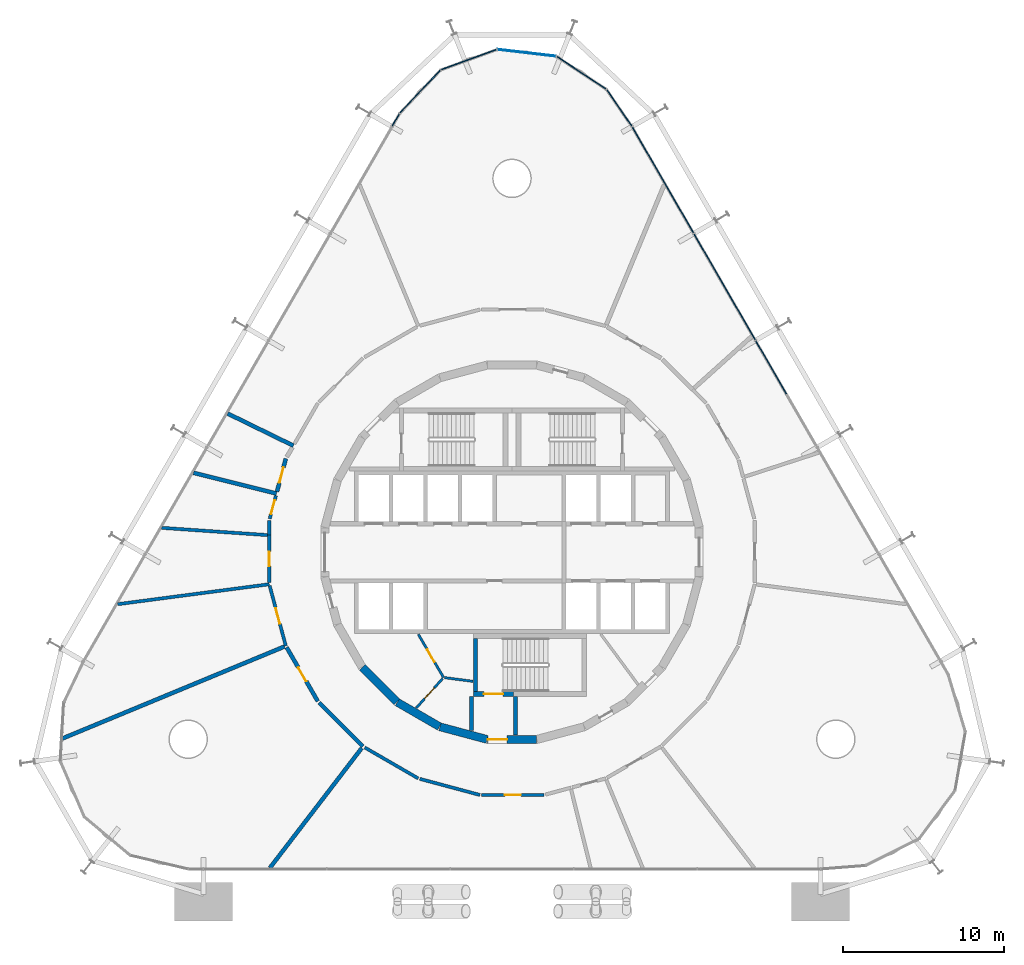
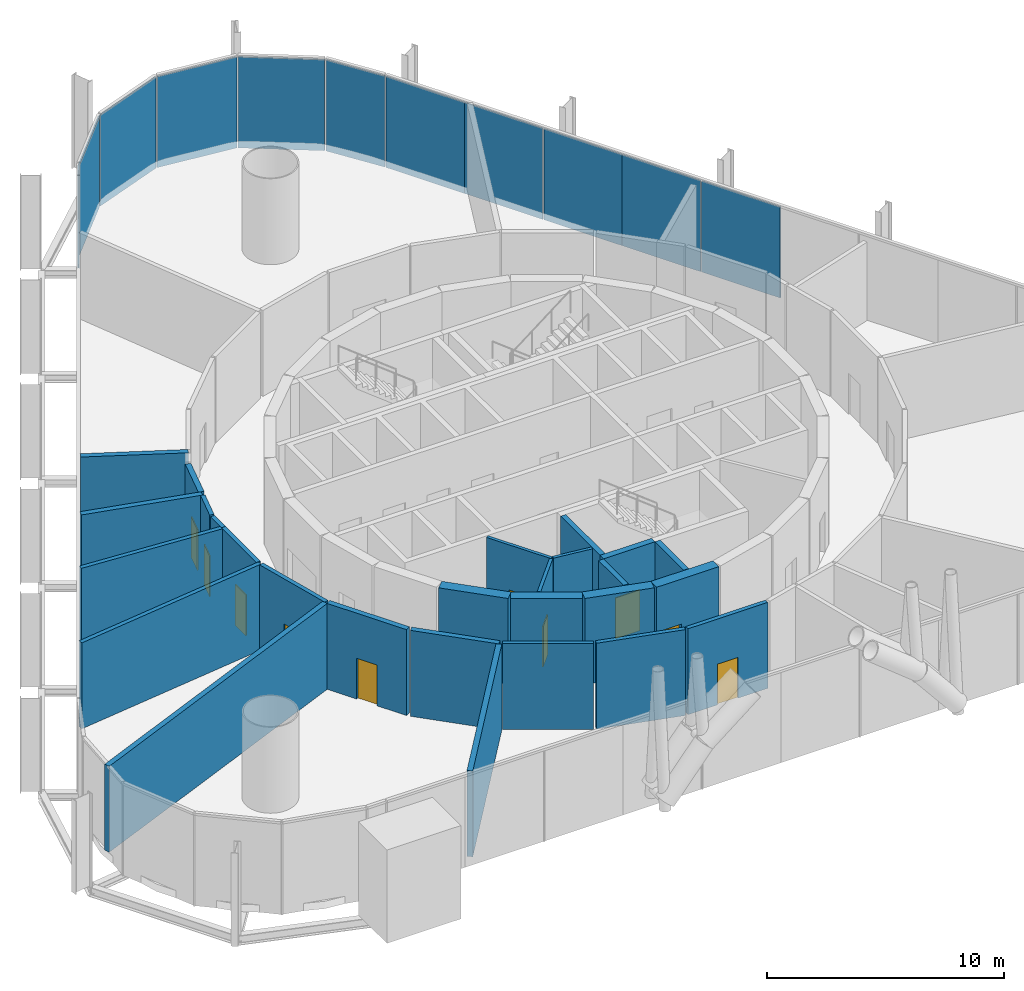
# One storey, part 13 of 17: 27 walls, 11 plates, 10 doors, 10 openings, 2 elements without a shape of their own.
"""IFC4 building model written with IfcOpenShell, lengths in metres."""

from ifc_helpers import new_model, si_unit, direction, frame, frame_2d, origin, origin_2d, place, context, subcontext, project, spatial, rectangle, extrude, material, layer, layer_set, type_object, element, fill, aggregate, save


model = new_model("IFC4")

# Units and contexts
model_context = context("Model", 3, precision=1e-05, world=origin(), true_north=direction((0.0, 1.0)))
body_context = subcontext(model_context, "Body", "Model", "MODEL_VIEW")
ifc_project = project(units=[si_unit("LENGTHUNIT", "METRE"), si_unit("AREAUNIT", "SQUARE_METRE"), si_unit("VOLUMEUNIT", "CUBIC_METRE"), si_unit("PLANEANGLEUNIT", "RADIAN"), si_unit("MASSUNIT", "GRAM", prefix="KILO")], contexts=[model_context])

# Site, building, storey
site_placement = place(None, origin())
site = spatial("IfcSite", under=ifc_project, at=site_placement, CompositionType="ELEMENT")
building_placement = place(site_placement, origin())
building = spatial("IfcBuilding", under=site, at=building_placement, Name="Spindle Arch Residences", CompositionType="ELEMENT")
storey_placement = place(building_placement, frame((0.0, 0.0, 23.39990234375)))
storey = spatial("IfcBuildingStorey", under=building, at=storey_placement, Name="L04", CompositionType="ELEMENT", Elevation=23.39990234375)

# Curtain wall, plates
ifc_material_1 = material(Name="Aluminium bronze unitised frame with tinted glass", Category="aluminium")
ifc_layer_1 = layer(ifc_material_1, 0.159912109375)
ifc_layer_set_1 = layer_set([ifc_layer_1], Name="CW-B amenity podium glazed wall")
curtain_wall_type_1 = type_object("IfcCurtainWallType", Name="CW-B amenity podium glazed wall", PredefinedType="NOTDEFINED", material=ifc_layer_set_1)
curtain_wall_1_placement = place(storey_placement, origin())
curtain_wall_1 = element("IfcCurtainWall", 1, at=curtain_wall_1_placement, inside=storey, type_object=curtain_wall_type_1, Name="CW-B L04 run 2", PredefinedType="NOTDEFINED")
ifc_material_2 = material(Name="Tinted double glazing over aluminium faced non-combustible spandrel zone (K0)", Category="aluminium")
ifc_layer_2 = layer(ifc_material_2, 0.06005859375)
ifc_layer_set_2 = layer_set([ifc_layer_2], Name="Unitised glass panel with E 60 spandrel zone")
plate_type = type_object("IfcPlateType", Name="Unitised glass panel with E 60 spandrel zone", PredefinedType="CURTAIN_PANEL", material=ifc_layer_set_2)
plate_1_placement = place(storey_placement, frame((16.11669921875, 11.504638671875, -0.3798828125), z_axis=(0.0, 0.0, 1.0), x_axis=(-0.5, 0.866025403784, 0.0)))
plate_1 = element("IfcPlate", 2, at=plate_1_placement, type_object=plate_type, Name="CW-B unit 07B", PredefinedType="CURTAIN_PANEL", context=body_context, shape_type="SweptSolid", body=[
    extrude(rectangle(XDim=3.81005859375, YDim=0.06005859375, at=origin_2d()), origin(), (0.0, 0.0, 1.0), 4.679931640625),
])
plate_2_placement = place(storey_placement, frame((14.181640625, 14.856201171875, -0.3798828125), z_axis=(0.0, 0.0, 1.0), x_axis=(-0.5, 0.866025403784, 0.0)))
plate_2 = element("IfcPlate", 3, at=plate_2_placement, type_object=plate_type, Name="CW-B unit 08A", PredefinedType="CURTAIN_PANEL", context=body_context, shape_type="SweptSolid", body=[
    extrude(rectangle(XDim=3.81005859375, YDim=0.06005859375, at=origin_2d()), origin(), (0.0, 0.0, 1.0), 4.679931640625),
])
plate_3_placement = place(storey_placement, frame((12.27685546875, 18.156005859375, -0.3798828125), z_axis=(0.0, 0.0, 1.0), x_axis=(-0.5, 0.866025403784, 0.0)))
plate_3 = element("IfcPlate", 4, at=plate_3_placement, type_object=plate_type, Name="CW-B unit 08B", PredefinedType="CURTAIN_PANEL", context=body_context, shape_type="SweptSolid", body=[
    extrude(rectangle(XDim=3.81005859375, YDim=0.06005859375, at=origin_2d()), origin(), (0.0, 0.0, 1.0), 4.679931640625),
])
plate_4_placement = place(storey_placement, frame((10.341796875, 21.50732421875, -0.3798828125), z_axis=(0.0, 0.0, 1.0), x_axis=(-0.5, 0.866025403784, 0.0)))
plate_4 = element("IfcPlate", 5, at=plate_4_placement, type_object=plate_type, Name="CW-B unit 09A", PredefinedType="CURTAIN_PANEL", context=body_context, shape_type="SweptSolid", body=[
    extrude(rectangle(XDim=3.81005859375, YDim=0.06005859375, at=origin_2d()), origin(), (0.0, 0.0, 1.0), 4.679931640625),
])
plate_5_placement = place(storey_placement, frame((8.436767578125, 24.80712890625, -0.3798828125), z_axis=(0.0, 0.0, 1.0), x_axis=(-0.5, 0.866025403784, 0.0)))
plate_5 = element("IfcPlate", 6, at=plate_5_placement, type_object=plate_type, Name="CW-B unit 09B", PredefinedType="CURTAIN_PANEL", context=body_context, shape_type="SweptSolid", body=[
    extrude(rectangle(XDim=3.81005859375, YDim=0.06005859375, at=origin_2d()), origin(), (0.0, 0.0, 1.0), 4.679931640625),
])
aggregate(curtain_wall_1, [plate_1, plate_2, plate_3, plate_4, plate_5])

ifc_material_3 = material(Name="Aluminium bronze unitised frame with tinted glass", Category="aluminium")
ifc_layer_3 = layer(ifc_material_3, 0.159912109375)
ifc_layer_set_3 = layer_set([ifc_layer_3], Name="CW-D corner wall on the fillet arcs")
curtain_wall_type_2 = type_object("IfcCurtainWallType", Name="CW-D corner wall on the fillet arcs", PredefinedType="NOTDEFINED", material=ifc_layer_set_3)
curtain_wall_2_placement = place(storey_placement, origin())
curtain_wall_2 = element("IfcCurtainWall", 7, at=curtain_wall_2_placement, inside=storey, type_object=curtain_wall_type_2, Name="CW-D L04 run 3", PredefinedType="NOTDEFINED")
plate_6_placement = place(storey_placement, frame((6.673095703125, 27.643798828125, -0.3798828125), z_axis=(0.0, 0.0, 1.0), x_axis=(-0.565500718711, 0.824747802142, 0.0)))
plate_6 = element("IfcPlate", 8, at=plate_6_placement, type_object=plate_type, Name="CW-D unit 00", PredefinedType="CURTAIN_PANEL", context=body_context, shape_type="SweptSolid", body=[
    extrude(rectangle(XDim=2.755126953125, YDim=0.06005859375, at=origin_2d()), origin(), (0.0, 0.0, 1.0), 4.679931640625),
])
plate_7_placement = place(storey_placement, frame((4.3203125, 29.82861328125, -0.3798828125), z_axis=(0.0, 0.0, 1.0), x_axis=(-0.835487811704, 0.549508977628, 0.0)))
plate_7 = element("IfcPlate", 9, at=plate_7_placement, type_object=plate_type, Name="CW-D unit 01", PredefinedType="CURTAIN_PANEL", context=body_context, shape_type="SweptSolid", body=[
    extrude(rectangle(XDim=3.666748046875, YDim=0.06005859375, at=origin_2d()), origin(), (0.0, 0.0, 1.0), 4.679931640625),
])
plate_8_placement = place(storey_placement, frame((0.912841796875, 31.06884765625, -0.3798828125), z_axis=(0.0, 0.0, 1.0), x_axis=(-0.993238357591, 0.116092915414, 0.0)))
plate_8 = element("IfcPlate", 10, at=plate_8_placement, type_object=plate_type, Name="CW-D unit 02", PredefinedType="CURTAIN_PANEL", context=body_context, shape_type="SweptSolid", body=[
    extrude(rectangle(XDim=3.666748046875, YDim=0.06005859375, at=origin_2d()), origin(), (0.0, 0.0, 1.0), 4.679931640625),
])
plate_9_placement = place(storey_placement, frame((-2.68896484375, 30.64794921875, -0.3798828125), z_axis=(0.0, 0.0, 1.0), x_axis=(-0.939692621437, -0.342020141538, 0.0)))
plate_9 = element("IfcPlate", 11, at=plate_9_placement, type_object=plate_type, Name="CW-D unit 03", PredefinedType="CURTAIN_PANEL", context=body_context, shape_type="SweptSolid", body=[
    extrude(rectangle(XDim=3.666748046875, YDim=0.06005859375, at=origin_2d()), origin(), (0.0, 0.0, 1.0), 4.679931640625),
])
plate_10_placement = place(storey_placement, frame((-5.71875, 28.6552734375, -0.3798828125), z_axis=(0.0, 0.0, 1.0), x_axis=(-0.686241639236, -0.727373640284, 0.0)))
plate_10 = element("IfcPlate", 12, at=plate_10_placement, type_object=plate_type, Name="CW-D unit 04", PredefinedType="CURTAIN_PANEL", context=body_context, shape_type="SweptSolid", body=[
    extrude(rectangle(XDim=3.666748046875, YDim=0.06005859375, at=origin_2d()), origin(), (0.0, 0.0, 1.0), 4.679931640625),
])
plate_11_placement = place(storey_placement, frame((-7.2333984375, 26.891357421875, -0.3798828125), z_axis=(0.0, 0.0, 1.0), x_axis=(-0.5, -0.866025403784, 0.0)))
plate_11 = element("IfcPlate", 13, at=plate_11_placement, type_object=plate_type, Name="CW-D unit 05", PredefinedType="CURTAIN_PANEL", context=body_context, shape_type="SweptSolid", body=[
    extrude(rectangle(XDim=0.88330078125, YDim=0.06005859375, at=origin_2d()), origin(), (0.0, 0.0, 1.0), 4.679931640625),
])
aggregate(curtain_wall_2, [plate_6, plate_7, plate_8, plate_9, plate_10, plate_11])

# Walls
ifc_material_4 = material(Name="Concrete C50/60", Category="concrete")
ifc_layer_4 = layer(ifc_material_4, 0.5)
ifc_layer_set_4 = layer_set([ifc_layer_4], Name="Core outline wall 500")
wall_type_1 = type_object("IfcWallType", Name="Core outline wall 500", PredefinedType="SHEAR", material=ifc_layer_set_4)
wall_1_placement = place(storey_placement, frame((-9.30810546875, -7.163818359375, 0.0), z_axis=(0.0, 0.0, 1.0), x_axis=(0.707106781187, -0.707106781187, 0.0)))
element("IfcWall", 14, at=wall_1_placement, inside=storey, type_object=wall_type_1, Name="Core outline wall 21", PredefinedType="SHEAR", context=body_context, shape_type="SweptSolid", body=[
    extrude(rectangle(XDim=3.032470703125, YDim=0.5, at=frame_2d((1.51611328125, 0.0))), origin(), (0.0, 0.0, 1.0), 4.420166015625),
])
for number, where, z_axis, x_axis, name in (
    (15, (-7.13671875, -9.32861328125, 0.0), (0.0, 0.0, 1.0), (0.865975092491, -0.500087131594, 0.0), "Core outline wall 22"),
    (16, (-4.479248046875, -10.858154296875, 0.0), (0.0, 0.0, 1.0), (0.965948410781, -0.258734743916, 0.0), "Core outline wall 23"),
):
    element("IfcWall", number, at=place(storey_placement, frame(where, z_axis=z_axis, x_axis=x_axis)), inside=storey, type_object=wall_type_1, Name=name, PredefinedType="SHEAR", context=body_context, shape_type="SweptSolid", body=[
        extrude(rectangle(XDim=3.03271484375, YDim=0.5, at=frame_2d((1.516357421875, 0.0))), origin(), (0.0, 0.0, 1.0), 4.420166015625),
    ])

# Wall, opening, door
wall_2_placement = place(storey_placement, frame((-1.516357421875, -11.647216796875, 0.0), z_axis=(0.0, 0.0, 1.0), x_axis=(1.0, 0.0, 0.0)))
wall_2 = element("IfcWall", 17, at=wall_2_placement, inside=storey, type_object=wall_type_1, Name="Core outline wall 24", PredefinedType="SHEAR", context=body_context, shape_type="SweptSolid", body=[
    extrude(rectangle(XDim=3.03271484375, YDim=0.5, at=frame_2d((1.516357421875, 0.0))), origin(), (0.0, 0.0, 1.0), 4.420166015625),
])
opening_1_placement = place(wall_2_placement, frame((0.016357421875, 0.0, 0.0)))
opening_1 = element("IfcOpeningElement", 18, at=opening_1_placement, cuts=wall_2, Name="Opening L04-AD03", PredefinedType="OPENING", context=body_context, shape_type="SweptSolid", body=[
    extrude(rectangle(XDim=1.199951171875, YDim=2.10009765625, at=frame_2d((0.60009765625, 1.050048828125))), frame((0.0, 0.260009765625, 0.0), z_axis=(0.0, -1.0, 0.0), x_axis=(1.0, 0.0, 0.0)), (0.0, 0.0, 1.0), 0.52001953125),
])
ifc_material_5 = material(Name="Steel, fire-resisting door", Category="steel")
door_type_1 = type_object("IfcDoorType", Name="Stair airlock door 1200x2100", OperationType="SINGLE_SWING_LEFT", PredefinedType="DOOR", material=ifc_material_5)
door_1_placement = place(opening_1_placement, origin())
door_1 = element("IfcDoor", 19, at=door_1_placement, inside=storey, type_object=door_type_1, Name="Stair airlock door L04-AD03", OperationType="SINGLE_SWING_RIGHT", OverallHeight=2.10009765625, OverallWidth=1.199951171875, PredefinedType="DOOR", context=body_context, shape_type="SweptSolid", body=[
    extrude(rectangle(XDim=1.199951171875, YDim=2.10009765625, at=frame_2d((0.60009765625, 1.050048828125))), frame((0.0, 0.02490234375, 0.0), z_axis=(0.0, -1.0, 0.0), x_axis=(1.0, 0.0, 0.0)), (0.0, 0.0, 1.0), 0.050048828125),
])
fill(opening_1, door_1)

# Walls
ifc_material_6 = material(Name="Concrete C25/30 wall", Category="concrete")
ifc_layer_5 = layer(ifc_material_6, 0.25)
ifc_layer_set_5 = layer_set([ifc_layer_5], Name="Partition EI 120 250 store")
wall_type_2 = type_object("IfcWallType", Name="Partition EI 120 250 store", PredefinedType="PARTITIONING", material=ifc_layer_set_5)
wall_3_placement = place(storey_placement, frame((-14.64990234375, 3.64990234375, 0.0), z_axis=(0.0, 0.0, 1.0), x_axis=(-0.970142500145, 0.242535625036, 0.0)))
element("IfcWall", 20, at=wall_3_placement, inside=storey, type_object=wall_type_2, Name="L04-W006", PredefinedType="PARTITIONING", context=body_context, shape_type="SweptSolid", body=[
    extrude(rectangle(XDim=5.31884765625, YDim=0.25, at=frame_2d((2.659423828125, 0.0))), origin(), (0.0, 0.0, 1.0), 4.420166015625),
])
wall_4_placement = place(storey_placement, frame((-14.162353515625, -5.8681640625, 0.0), z_axis=(0.0, 0.0, 1.0), x_axis=(-0.923914077449, -0.382600022859, 0.0)))
element("IfcWall", 21, at=wall_4_placement, inside=storey, type_object=wall_type_2, Name="L04-W008", PredefinedType="PARTITIONING", context=body_context, shape_type="SweptSolid", body=[
    extrude(rectangle(XDim=15.08544921875, YDim=0.25, at=frame_2d((7.542724609375, 0.0))), origin(), (0.0, 0.0, 1.0), 4.420166015625),
])

# Wall, opening, door
wall_5_placement = place(storey_placement, frame((-14.02001953125, -5.91650390625, 0.0), z_axis=(0.0, 0.0, 1.0), x_axis=(0.500733182901, -0.865601686425, 0.0)))
wall_5 = element("IfcWall", 22, at=wall_5_placement, inside=storey, type_object=wall_type_2, Name="L04-W009", PredefinedType="PARTITIONING", context=body_context, shape_type="SweptSolid", body=[
    extrude(rectangle(XDim=3.874267578125, YDim=0.25, at=frame_2d((1.93701171875, 0.0))), origin(), (0.0, 0.0, 1.0), 4.420166015625),
])
opening_2_placement = place(wall_5_placement, frame((1.43701171875, 0.0, 0.0)))
opening_2 = element("IfcOpeningElement", 23, at=opening_2_placement, cuts=wall_5, Name="Opening L04-D04", PredefinedType="OPENING", context=body_context, shape_type="SweptSolid", body=[
    extrude(rectangle(XDim=1.0, YDim=2.10009765625, at=frame_2d((0.5, 1.050048828125))), frame((0.0, 0.135009765625, 0.0), z_axis=(0.0, -1.0, 0.0), x_axis=(1.0, 0.0, 0.0)), (0.0, 0.0, 1.0), 0.27001953125),
])
ifc_material_7 = material(Name="Steel door leaf, painted", Category="steel")
door_type_2 = type_object("IfcDoorType", Name="Door 1000x2100 EI 60", OperationType="SINGLE_SWING_LEFT", PredefinedType="DOOR", material=ifc_material_7)
door_2_placement = place(opening_2_placement, origin())
door_2 = element("IfcDoor", 24, at=door_2_placement, inside=storey, type_object=door_type_2, Name="L04-D04", OperationType="SINGLE_SWING_LEFT", OverallHeight=2.10009765625, OverallWidth=1.0, PredefinedType="DOOR", context=body_context, shape_type="SweptSolid", body=[
    extrude(rectangle(XDim=1.0, YDim=2.10009765625, at=frame_2d((0.5, 1.050048828125))), frame((0.0, 0.02490234375, 0.0), z_axis=(0.0, -1.0, 0.0), x_axis=(1.0, 0.0, 0.0)), (0.0, 0.0, 1.0), 0.050048828125),
])
fill(opening_2, door_2)

wall_6_placement = place(storey_placement, frame((-14.070068359375, 5.830078125, 0.0), z_axis=(0.0, 0.0, 1.0), x_axis=(-0.25709213915, -0.9663868956, 0.0)))
wall_6 = element("IfcWall", 25, at=wall_6_placement, inside=storey, type_object=wall_type_2, Name="L04-W010", PredefinedType="PARTITIONING", context=body_context, shape_type="SweptSolid", body=[
    extrude(rectangle(XDim=2.130859375, YDim=0.25, at=frame_2d((1.0654296875, 0.0))), origin(), (0.0, 0.0, 1.0), 4.420166015625),
])
opening_3_placement = place(wall_6_placement, frame((0.5654296875, 0.0, 0.0)))
opening_3 = element("IfcOpeningElement", 26, at=opening_3_placement, cuts=wall_6, Name="Opening L04-D10", PredefinedType="OPENING", context=body_context, shape_type="SweptSolid", body=[
    extrude(rectangle(XDim=1.0, YDim=2.10009765625, at=frame_2d((0.5, 1.050048828125))), frame((0.0, 0.135009765625, 0.0), z_axis=(0.0, -1.0, 0.0), x_axis=(1.0, 0.0, 0.0)), (0.0, 0.0, 1.0), 0.27001953125),
])
door_3_placement = place(opening_3_placement, origin())
door_3 = element("IfcDoor", 27, at=door_3_placement, inside=storey, type_object=door_type_2, Name="L04-D10", OperationType="SINGLE_SWING_LEFT", OverallHeight=2.10009765625, OverallWidth=1.0, PredefinedType="DOOR", context=body_context, shape_type="SweptSolid", body=[
    extrude(rectangle(XDim=1.0, YDim=2.10009765625, at=frame_2d((0.5, 1.050048828125))), frame((0.0, 0.02490234375, 0.0), z_axis=(0.0, -1.0, 0.0), x_axis=(1.0, 0.0, 0.0)), (0.0, 0.0, 1.0), 0.050048828125),
])
fill(opening_3, door_3)

# Walls
wall_7_placement = place(storey_placement, frame((-13.60009765625, 6.6298828125, 0.0), z_axis=(0.0, 0.0, 1.0), x_axis=(-0.898339215614, 0.43930246265, 0.0)))
element("IfcWall", 28, at=wall_7_placement, inside=storey, type_object=wall_type_2, Name="L04-W011", PredefinedType="PARTITIONING", context=body_context, shape_type="SweptSolid", body=[
    extrude(rectangle(XDim=4.552734375, YDim=0.25, at=frame_2d((2.2763671875, 0.0))), origin(), (0.0, 0.0, 1.0), 4.420166015625),
])
wall_8_placement = place(storey_placement, frame((-11.99169921875, -9.3583984375, 0.0), z_axis=(0.0, 0.0, 1.0), x_axis=(0.707106781187, -0.707106781187, 0.0)))
element("IfcWall", 29, at=wall_8_placement, inside=storey, type_object=wall_type_2, Name="L04-W013", PredefinedType="PARTITIONING", context=body_context, shape_type="SweptSolid", body=[
    extrude(rectangle(XDim=3.84912109375, YDim=0.25, at=frame_2d((1.924560546875, 0.0))), origin(), (0.0, 0.0, 1.0), 4.420166015625),
])
wall_9_placement = place(storey_placement, frame((-9.345947265625, -12.17919921875, 0.0), z_axis=(0.0, 0.0, 1.0), x_axis=(-0.608560359422, -0.793507585937, 0.0)))
element("IfcWall", 30, at=wall_9_placement, inside=storey, type_object=wall_type_2, Name="L04-W015", PredefinedType="PARTITIONING", context=body_context, shape_type="SweptSolid", body=[
    extrude(rectangle(XDim=9.3896484375, YDim=0.25, at=frame_2d((4.69482421875, 0.0))), origin(), (0.0, 0.0, 1.0), 4.420166015625),
])
ifc_material_8 = material(Name="Gypsum board partition on steel studs", Category="steel")
ifc_layer_6 = layer(ifc_material_8, 0.199951171875)
ifc_layer_set_6 = layer_set([ifc_layer_6], Name="Partition EI 60 200 amenity")
wall_type_3 = type_object("IfcWallType", Name="Partition EI 60 200 amenity", PredefinedType="PARTITIONING", material=ifc_layer_set_6)
wall_10_placement = place(storey_placement, frame((-15.10009765625, -1.989990234375, 0.0), z_axis=(0.0, 0.0, 1.0), x_axis=(-0.99146503856, -0.130372839634, 0.0)))
element("IfcWall", 31, at=wall_10_placement, inside=storey, type_object=wall_type_3, Name="L04-W001", PredefinedType="PARTITIONING", context=body_context, shape_type="SweptSolid", body=[
    extrude(rectangle(XDim=9.51123046875, YDim=0.199951171875, at=frame_2d((4.755615234375, 0.0))), origin(), (0.0, 0.0, 1.0), 4.420166015625),
])

# Wall, opening, door
wall_11_placement = place(storey_placement, frame((-15.073974609375, -2.086669921875, 0.0), z_axis=(0.0, 0.0, 1.0), x_axis=(0.259026804199, -0.965870133458, 0.0)))
wall_11 = element("IfcWall", 32, at=wall_11_placement, inside=storey, type_object=wall_type_3, Name="L04-W002", PredefinedType="PARTITIONING", context=body_context, shape_type="SweptSolid", body=[
    extrude(rectangle(XDim=3.875732421875, YDim=0.199951171875, at=frame_2d((1.93798828125, 0.0))), origin(), (0.0, 0.0, 1.0), 4.420166015625),
])
opening_4_placement = place(wall_11_placement, frame((1.43798828125, 0.0, 0.0)))
opening_4 = element("IfcOpeningElement", 33, at=opening_4_placement, cuts=wall_11, Name="Opening L04-D06", PredefinedType="OPENING", context=body_context, shape_type="SweptSolid", body=[
    extrude(rectangle(XDim=1.0, YDim=2.10009765625, at=frame_2d((0.5, 1.050048828125))), frame((0.0, 0.10986328125, 0.0), z_axis=(0.0, -1.0, 0.0), x_axis=(1.0, 0.0, 0.0)), (0.0, 0.0, 1.0), 0.219970703125),
])
ifc_material_9 = material(Name="Timber door leaf", Category="wood")
door_type_3 = type_object("IfcDoorType", Name="Door 1000x2100 EI 30", OperationType="SINGLE_SWING_LEFT", PredefinedType="DOOR", material=ifc_material_9)
door_4_placement = place(opening_4_placement, origin())
door_4 = element("IfcDoor", 34, at=door_4_placement, inside=storey, type_object=door_type_3, Name="L04-D06", OperationType="SINGLE_SWING_LEFT", OverallHeight=2.10009765625, OverallWidth=1.0, PredefinedType="DOOR", context=body_context, shape_type="SweptSolid", body=[
    extrude(rectangle(XDim=1.0, YDim=2.10009765625, at=frame_2d((0.5, 1.050048828125))), frame((0.0, 0.02490234375, 0.0), z_axis=(0.0, -1.0, 0.0), x_axis=(1.0, 0.0, 0.0)), (0.0, 0.0, 1.0), 0.050048828125),
])
fill(opening_4, door_4)

# Wall
wall_12_placement = place(storey_placement, frame((-15.19970703125, 1.06689453125, 0.0), z_axis=(0.0, 0.0, 1.0), x_axis=(-0.99764465257, 0.068594075542, 0.0)))
element("IfcWall", 35, at=wall_12_placement, inside=storey, type_object=wall_type_3, Name="L04-W003", PredefinedType="PARTITIONING", context=body_context, shape_type="SweptSolid", body=[
    extrude(rectangle(XDim=6.60595703125, YDim=0.199951171875, at=frame_2d((3.302978515625, 0.0))), origin(), (0.0, 0.0, 1.0), 4.420166015625),
])

# Wall, opening, door
wall_13_placement = place(storey_placement, frame((-15.10009765625, 1.06005859375, 0.0), z_axis=(0.0, 0.0, 1.0), x_axis=(0.0, -1.0, 0.0)))
wall_13 = element("IfcWall", 36, at=wall_13_placement, inside=storey, type_object=wall_type_3, Name="L04-W004", PredefinedType="PARTITIONING", context=body_context, shape_type="SweptSolid", body=[
    extrude(rectangle(XDim=2.949951171875, YDim=0.199951171875, at=frame_2d((1.47509765625, 0.0))), origin(), (0.0, 0.0, 1.0), 4.420166015625),
])
opening_5_placement = place(wall_13_placement, frame((1.02490234375, 0.0, 0.0)))
opening_5 = element("IfcOpeningElement", 37, at=opening_5_placement, cuts=wall_13, Name="Opening L04-D07", PredefinedType="OPENING", context=body_context, shape_type="SweptSolid", body=[
    extrude(rectangle(XDim=0.89990234375, YDim=2.10009765625, at=frame_2d((0.449951171875, 1.050048828125))), frame((0.0, 0.10986328125, 0.0), z_axis=(0.0, -1.0, 0.0), x_axis=(1.0, 0.0, 0.0)), (0.0, 0.0, 1.0), 0.219970703125),
])
ifc_material_10 = material(Name="Timber door leaf", Category="wood")
door_type_4 = type_object("IfcDoorType", Name="Door 900x2100 EI 30", OperationType="SINGLE_SWING_LEFT", PredefinedType="DOOR", material=ifc_material_10)
door_5_placement = place(opening_5_placement, origin())
door_5 = element("IfcDoor", 38, at=door_5_placement, inside=storey, type_object=door_type_4, Name="L04-D07", OperationType="SINGLE_SWING_LEFT", OverallHeight=2.10009765625, OverallWidth=0.89990234375, PredefinedType="DOOR", context=body_context, shape_type="SweptSolid", body=[
    extrude(rectangle(XDim=0.89990234375, YDim=2.10009765625, at=frame_2d((0.449951171875, 1.050048828125))), frame((0.0, 0.02490234375, 0.0), z_axis=(0.0, -1.0, 0.0), x_axis=(1.0, 0.0, 0.0)), (0.0, 0.0, 1.0), 0.050048828125),
])
fill(opening_5, door_5)

# Wall
wall_14_placement = place(storey_placement, frame((-15.10009765625, 1.989990234375, 0.0), z_axis=(0.0, 0.0, 1.0), x_axis=(0.0, -1.0, 0.0)))
element("IfcWall", 39, at=wall_14_placement, inside=storey, type_object=wall_type_3, Name="L04-W005", PredefinedType="PARTITIONING", context=body_context, shape_type="SweptSolid", body=[
    extrude(rectangle(XDim=0.929931640625, YDim=0.199951171875, at=frame_2d((0.46484375, 0.0))), origin(), (0.0, 0.0, 1.0), 4.420166015625),
])

# Wall, opening, door
wall_15_placement = place(storey_placement, frame((-14.6826171875, 3.529296875, 0.0), z_axis=(0.0, 0.0, 1.0), x_axis=(-0.261624677088, -0.965169688883, 0.0)))
wall_15 = element("IfcWall", 40, at=wall_15_placement, inside=storey, type_object=wall_type_3, Name="L04-W007", PredefinedType="PARTITIONING", context=body_context, shape_type="SweptSolid", body=[
    extrude(rectangle(XDim=1.494873046875, YDim=0.199951171875, at=frame_2d((0.74755859375, 0.0))), origin(), (0.0, 0.0, 1.0), 4.420166015625),
])
opening_6_placement = place(wall_15_placement, frame((0.297607421875, 0.0, 0.0)))
opening_6 = element("IfcOpeningElement", 41, at=opening_6_placement, cuts=wall_15, Name="Opening L04-D09", PredefinedType="OPENING", context=body_context, shape_type="SweptSolid", body=[
    extrude(rectangle(XDim=0.89990234375, YDim=2.10009765625, at=frame_2d((0.449951171875, 1.050048828125))), frame((0.0, 0.10986328125, 0.0), z_axis=(0.0, -1.0, 0.0), x_axis=(1.0, 0.0, 0.0)), (0.0, 0.0, 1.0), 0.219970703125),
])
door_6_placement = place(opening_6_placement, origin())
door_6 = element("IfcDoor", 42, at=door_6_placement, inside=storey, type_object=door_type_4, Name="L04-D09", OperationType="SINGLE_SWING_LEFT", OverallHeight=2.10009765625, OverallWidth=0.89990234375, PredefinedType="DOOR", context=body_context, shape_type="SweptSolid", body=[
    extrude(rectangle(XDim=0.89990234375, YDim=2.10009765625, at=frame_2d((0.449951171875, 1.050048828125))), frame((0.0, 0.02490234375, 0.0), z_axis=(0.0, -1.0, 0.0), x_axis=(1.0, 0.0, 0.0)), (0.0, 0.0, 1.0), 0.050048828125),
])
fill(opening_6, door_6)

# Walls
wall_16_placement = place(storey_placement, frame((-9.161865234375, -12.142578125, 0.0), z_axis=(0.0, 0.0, 1.0), x_axis=(0.865588360659, -0.500756218026, 0.0)))
element("IfcWall", 43, at=wall_16_placement, inside=storey, type_object=wall_type_3, Name="L04-W016", PredefinedType="PARTITIONING", context=body_context, shape_type="SweptSolid", body=[
    extrude(rectangle(XDim=3.84912109375, YDim=0.199951171875, at=frame_2d((1.924560546875, 0.0))), origin(), (0.0, 0.0, 1.0), 4.420166015625),
])
wall_17_placement = place(storey_placement, frame((-5.7333984375, -14.095947265625, 0.0), z_axis=(0.0, 0.0, 1.0), x_axis=(0.96585437197, -0.259085569159, 0.0)))
element("IfcWall", 44, at=wall_17_placement, inside=storey, type_object=wall_type_3, Name="L04-W018", PredefinedType="PARTITIONING", context=body_context, shape_type="SweptSolid", body=[
    extrude(rectangle(XDim=3.875732421875, YDim=0.199951171875, at=frame_2d((1.93798828125, 0.0))), origin(), (0.0, 0.0, 1.0), 4.420166015625),
])

# Wall, opening, door
wall_18_placement = place(storey_placement, frame((-1.889892578125, -15.10009765625, 0.0), z_axis=(0.0, 0.0, 1.0), x_axis=(1.0, 0.0, 0.0)))
wall_18 = element("IfcWall", 45, at=wall_18_placement, inside=storey, type_object=wall_type_3, Name="L04-W021", PredefinedType="PARTITIONING", context=body_context, shape_type="SweptSolid", body=[
    extrude(rectangle(XDim=3.8798828125, YDim=0.199951171875, at=frame_2d((1.93994140625, 0.0))), origin(), (0.0, 0.0, 1.0), 4.420166015625),
])
opening_7_placement = place(wall_18_placement, frame((1.43994140625, 0.0, 0.0)))
opening_7 = element("IfcOpeningElement", 46, at=opening_7_placement, cuts=wall_18, Name="Opening L04-D02", PredefinedType="OPENING", context=body_context, shape_type="SweptSolid", body=[
    extrude(rectangle(XDim=1.0, YDim=2.10009765625, at=frame_2d((0.5, 1.050048828125))), frame((0.0, 0.10986328125, 0.0), z_axis=(0.0, -1.0, 0.0), x_axis=(1.0, 0.0, 0.0)), (0.0, 0.0, 1.0), 0.219970703125),
])
door_7_placement = place(opening_7_placement, origin())
door_7 = element("IfcDoor", 47, at=door_7_placement, inside=storey, type_object=door_type_3, Name="L04-D02", OperationType="SINGLE_SWING_LEFT", OverallHeight=2.10009765625, OverallWidth=1.0, PredefinedType="DOOR", context=body_context, shape_type="SweptSolid", body=[
    extrude(rectangle(XDim=1.0, YDim=2.10009765625, at=frame_2d((0.5, 1.050048828125))), frame((0.0, 0.02490234375, 0.0), z_axis=(0.0, -1.0, 0.0), x_axis=(1.0, 0.0, 0.0)), (0.0, 0.0, 1.0), 0.050048828125),
])
fill(opening_7, door_7)

ifc_material_11 = material(Name="Concrete C25/30", Category="concrete")
ifc_layer_7 = layer(ifc_material_11, 0.14990234375)
ifc_layer_set_7 = layer_set([ifc_layer_7], Name="Service room partition 150")
wall_type_4 = type_object("IfcWallType", Name="Service room partition 150", PredefinedType="PARTITIONING", material=ifc_layer_set_7)
wall_19_placement = place(storey_placement, frame((-5.8291015625, -5.101806640625, 0.0), z_axis=(0.0, 0.0, 1.0), x_axis=(0.504480008384, -0.863423373057, 0.0)))
wall_19 = element("IfcWall", 48, at=wall_19_placement, inside=storey, type_object=wall_type_4, Name="Core service room partition", PredefinedType="PARTITIONING", context=body_context, shape_type="SweptSolid", body=[
    extrude(rectangle(XDim=3.115234375, YDim=0.14990234375, at=frame_2d((1.5576171875, 0.0))), origin(), (0.0, 0.0, 1.0), 4.420166015625),
])
opening_8_placement = place(wall_19_placement, frame((1.107421875, 0.0, 0.0)))
opening_8 = element("IfcOpeningElement", 49, at=opening_8_placement, cuts=wall_19, Name="Opening L04-WD05", PredefinedType="OPENING", context=body_context, shape_type="SweptSolid", body=[
    extrude(rectangle(XDim=0.89990234375, YDim=2.10009765625, at=frame_2d((0.449951171875, 1.050048828125))), frame((0.0, 0.0849609375, 0.0), z_axis=(0.0, -1.0, 0.0), x_axis=(1.0, 0.0, 0.0)), (0.0, 0.0, 1.0), 0.169921875),
])
ifc_material_12 = material(Name="Steel, fire-resisting door", Category="steel")
door_type_5 = type_object("IfcDoorType", Name="Service room door 900x2100", OperationType="SINGLE_SWING_LEFT", PredefinedType="DOOR", material=ifc_material_12)
door_8_placement = place(opening_8_placement, origin())
door_8 = element("IfcDoor", 50, at=door_8_placement, inside=storey, type_object=door_type_5, Name="Service room door L04-WD05", OperationType="SINGLE_SWING_RIGHT", OverallHeight=2.10009765625, OverallWidth=0.89990234375, PredefinedType="DOOR", context=body_context, shape_type="SweptSolid", body=[
    extrude(rectangle(XDim=0.89990234375, YDim=2.10009765625, at=frame_2d((0.449951171875, 1.050048828125))), frame((0.0, 0.02490234375, 0.0), z_axis=(0.0, -1.0, 0.0), x_axis=(1.0, 0.0, 0.0)), (0.0, 0.0, 1.0), 0.050048828125),
])
fill(opening_8, door_8)

wall_20_placement = place(storey_placement, frame((-4.310791015625, -7.85107421875, 0.0), z_axis=(0.0, 0.0, 1.0), x_axis=(-0.667869133096, -0.744278725383, 0.0)))
wall_20 = element("IfcWall", 51, at=wall_20_placement, inside=storey, type_object=wall_type_4, Name="Core service room partition", PredefinedType="PARTITIONING", context=body_context, shape_type="SweptSolid", body=[
    extrude(rectangle(XDim=2.476318359375, YDim=0.14990234375, at=frame_2d((1.23828125, 0.0))), origin(), (0.0, 0.0, 1.0), 4.420166015625),
])
opening_9_placement = place(wall_20_placement, frame((0.7880859375, 0.0, 0.0)))
opening_9 = element("IfcOpeningElement", 52, at=opening_9_placement, cuts=wall_20, Name="Opening L04-WD04", PredefinedType="OPENING", context=body_context, shape_type="SweptSolid", body=[
    extrude(rectangle(XDim=0.89990234375, YDim=2.10009765625, at=frame_2d((0.449951171875, 1.050048828125))), frame((0.0, 0.0849609375, 0.0), z_axis=(0.0, -1.0, 0.0), x_axis=(1.0, 0.0, 0.0)), (0.0, 0.0, 1.0), 0.169921875),
])
door_9_placement = place(opening_9_placement, origin())
door_9 = element("IfcDoor", 53, at=door_9_placement, inside=storey, type_object=door_type_5, Name="Service room door L04-WD04", OperationType="SINGLE_SWING_LEFT", OverallHeight=2.10009765625, OverallWidth=0.89990234375, PredefinedType="DOOR", context=body_context, shape_type="SweptSolid", body=[
    extrude(rectangle(XDim=0.89990234375, YDim=2.10009765625, at=frame_2d((0.449951171875, 1.050048828125))), frame((0.0, 0.02490234375, 0.0), z_axis=(0.0, -1.0, 0.0), x_axis=(1.0, 0.0, 0.0)), (0.0, 0.0, 1.0), 0.050048828125),
])
fill(opening_9, door_9)

# Walls
wall_21_placement = place(storey_placement, frame((-4.197998046875, -7.79931640625, 0.0), z_axis=(0.0, 0.0, 1.0), x_axis=(0.991686747293, -0.128675542523, 0.0)))
element("IfcWall", 54, at=wall_21_placement, inside=storey, type_object=wall_type_4, Name="Core service room partition", PredefinedType="PARTITIONING", context=body_context, shape_type="SweptSolid", body=[
    extrude(rectangle(XDim=1.79296875, YDim=0.14990234375, at=frame_2d((0.896484375, 0.0))), origin(), (0.0, 0.0, 1.0), 4.420166015625),
])
ifc_material_13 = material(Name="Concrete C40/50", Category="concrete")
ifc_layer_8 = layer(ifc_material_13, 0.25)
ifc_layer_set_8 = layer_set([ifc_layer_8], Name="Stair airlock wall 250")
wall_type_5 = type_object("IfcWallType", Name="Stair airlock wall 250", PredefinedType="SHEAR", material=ifc_layer_set_8)
wall_22_placement = place(storey_placement, frame((-2.52490234375, -8.969970703125, 0.0), z_axis=(0.0, 0.0, 1.0), x_axis=(0.0, -1.0, 0.0)))
element("IfcWall", 55, at=wall_22_placement, inside=storey, type_object=wall_type_5, Name="Stair ST-3 airlock wall W", PredefinedType="SHEAR", context=body_context, shape_type="SweptSolid", body=[
    extrude(rectangle(XDim=2.110107421875, YDim=0.25, at=frame_2d((1.05517578125, 0.0))), origin(), (0.0, 0.0, 1.0), 4.420166015625),
])
wall_23_placement = place(storey_placement, frame((0.22509765625, -8.969970703125, 0.0), z_axis=(0.0, 0.0, 1.0), x_axis=(0.0, -1.0, 0.0)))
element("IfcWall", 56, at=wall_23_placement, inside=storey, type_object=wall_type_5, Name="Stair ST-3 airlock wall E", PredefinedType="SHEAR", context=body_context, shape_type="SweptSolid", body=[
    extrude(rectangle(XDim=2.409912109375, YDim=0.25, at=frame_2d((1.205078125, 0.0))), origin(), (0.0, 0.0, 1.0), 4.420166015625),
])
ifc_material_14 = material(Name="Concrete C50/60", Category="concrete")
ifc_layer_9 = layer(ifc_material_14, 0.25)
ifc_layer_set_9 = layer_set([ifc_layer_9], Name="Stair enclosure wall 250")
wall_type_6 = type_object("IfcWallType", Name="Stair enclosure wall 250", PredefinedType="SHEAR", material=ifc_layer_set_9)
wall_24_placement = place(storey_placement, frame((-2.27490234375, -8.669921875, 0.0), z_axis=(0.0, 0.0, 1.0), x_axis=(0.0, 1.0, 0.0)))
element("IfcWall", 57, at=wall_24_placement, inside=storey, type_object=wall_type_6, Name="Stair ST-3 enclosure wall W", PredefinedType="SHEAR", context=body_context, shape_type="SweptSolid", body=[
    extrude(rectangle(XDim=3.31982421875, YDim=0.25, at=frame_2d((1.659912109375, 0.0))), origin(), (0.0, 0.0, 1.0), 4.420166015625),
])

# Wall, opening, door
ifc_material_15 = material(Name="Concrete C50/60", Category="concrete")
ifc_layer_10 = layer(ifc_material_15, 0.300048828125)
ifc_layer_set_10 = layer_set([ifc_layer_10], Name="Stair enclosure wall 300")
wall_type_7 = type_object("IfcWallType", Name="Stair enclosure wall 300", PredefinedType="SHEAR", material=ifc_layer_set_10)
wall_25_placement = place(storey_placement, frame((-2.39990234375, -8.820068359375, 0.0), z_axis=(0.0, 0.0, 1.0), x_axis=(1.0, 0.0, 0.0)))
wall_25 = element("IfcWall", 58, at=wall_25_placement, inside=storey, type_object=wall_type_7, Name="Stair ST-3 door wall", PredefinedType="SHEAR", context=body_context, shape_type="SweptSolid", body=[
    extrude(rectangle(XDim=2.5, YDim=0.300048828125, at=frame_2d((1.25, 0.0))), origin(), (0.0, 0.0, 1.0), 4.420166015625),
])
opening_10_placement = place(wall_25_placement, frame((0.64990234375, 0.0, 0.0)))
opening_10 = element("IfcOpeningElement", 59, at=opening_10_placement, cuts=wall_25, Name="Opening L04-SD03", PredefinedType="OPENING", context=body_context, shape_type="SweptSolid", body=[
    extrude(rectangle(XDim=1.199951171875, YDim=2.10009765625, at=frame_2d((0.60009765625, 1.050048828125))), frame((0.0, 0.16015625, 0.0), z_axis=(0.0, -1.0, 0.0), x_axis=(1.0, 0.0, 0.0)), (0.0, 0.0, 1.0), 0.320068359375),
])
ifc_material_16 = material(Name="Steel, fire-resisting door", Category="steel")
door_type_6 = type_object("IfcDoorType", Name="Stair door 1200x2100", OperationType="SINGLE_SWING_RIGHT", PredefinedType="DOOR", material=ifc_material_16)
door_10_placement = place(opening_10_placement, origin())
door_10 = element("IfcDoor", 60, at=door_10_placement, inside=storey, type_object=door_type_6, Name="Stair door L04-SD03", OperationType="SINGLE_SWING_LEFT", OverallHeight=2.10009765625, OverallWidth=1.199951171875, PredefinedType="DOOR", context=body_context, shape_type="SweptSolid", body=[
    extrude(rectangle(XDim=1.199951171875, YDim=2.10009765625, at=frame_2d((0.60009765625, 1.050048828125))), frame((0.0, 0.02490234375, 0.0), z_axis=(0.0, -1.0, 0.0), x_axis=(1.0, 0.0, 0.0)), (0.0, 0.0, 1.0), 0.050048828125),
])
fill(opening_10, door_10)

save(model, "model.ifc")
